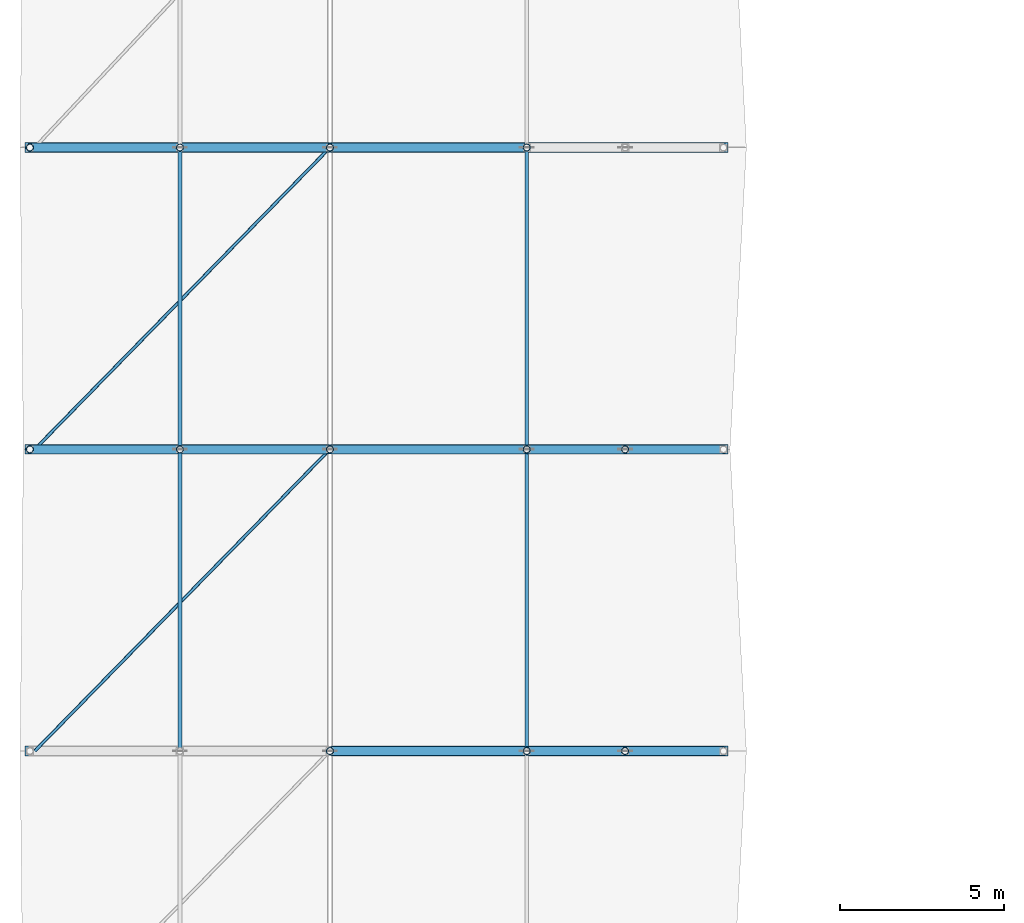
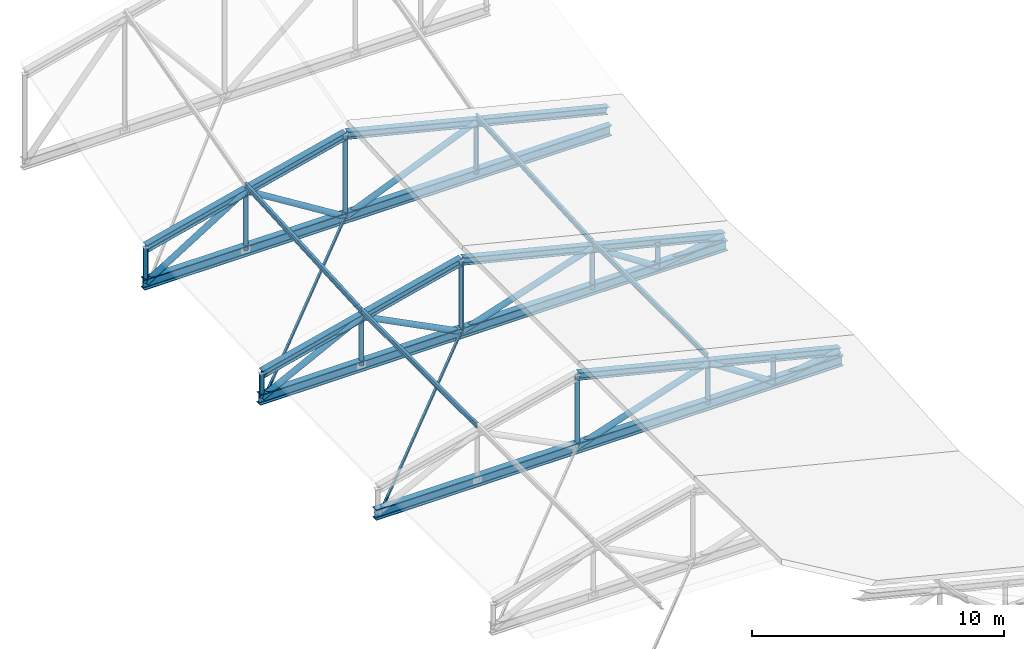
# One storey, part 21 of 61: 34 members, 3 beams.
"""IFC4 building model written with IfcOpenShell, lengths in metres."""

from ifc_helpers import new_model, si_unit, direction, frame, origin, origin_2d, place, context, subcontext, project, spatial, hollow_rectangle, hollow_circle, i_section, extrude, material, material_profile, profile_set, type_object, element, save


model = new_model("IFC4")

# Units and contexts
model_context = context("Model", 3, precision=1e-05, world=origin(), true_north=direction((0.0, 1.0)))
body_context = subcontext(model_context, "Body", "Model", "MODEL_VIEW")
ifc_project = project(units=[si_unit("LENGTHUNIT", "METRE"), si_unit("AREAUNIT", "SQUARE_METRE"), si_unit("VOLUMEUNIT", "CUBIC_METRE"), si_unit("PLANEANGLEUNIT", "RADIAN"), si_unit("MASSUNIT", "GRAM", prefix="KILO")], contexts=[model_context])

# Site, building, storey
site_placement = place(None, origin())
site = spatial("IfcSite", under=ifc_project, at=site_placement, CompositionType="ELEMENT")
building_placement = place(site_placement, origin())
building = spatial("IfcBuilding", under=site, at=building_placement, Name="Bozkorgan Art Gallery", CompositionType="ELEMENT")
storey_placement = place(building_placement, frame((0.0, 0.0, 10.199951171875)))
storey = spatial("IfcBuildingStorey", under=building, at=storey_placement, Name="L02", CompositionType="ELEMENT", Elevation=10.199951171875)

# Beams
ifc_material = material(Name="Steel S355J2", Category="steel")
ifc_material_profile_1 = material_profile(ifc_material, i_section(OverallWidth=0.300048828125, OverallDepth=0.5, WebThickness=0.014404296875, FlangeThickness=0.028076171875, FilletRadius=0.027099609375, at=origin_2d()), Name="HEB 500")
ifc_profile_set_1 = profile_set([ifc_material_profile_1], Name="Steel S355J2")
beam_type = type_object("IfcBeamType", Name="BEAM-TO-52", PredefinedType="BEAM", material=ifc_profile_set_1)
for number, where, z_axis, x_axis, name in (
    (1, (1.7099609375, 84.39990234375, 0.25), (1.0, 0.0, 0.0), (0.0, 1.0, 0.0), "ROOF-V2-MAIN roof truss 5 bottom chord"),
    (2, (1.7099609375, 93.60009765625, 0.25), (1.0, 0.0, 0.0), (0.0, 1.0, 0.0), "ROOF-V2-MAIN roof truss 6 bottom chord"),
    (3, (1.7099609375, 102.800048828125, 0.25), (1.0, 0.0, 0.0), (0.0, 1.0, 0.0), "ROOF-V2-MAIN roof truss 7 bottom chord"),
):
    element("IfcBeam", number, at=place(storey_placement, frame(where, z_axis=z_axis, x_axis=x_axis)), inside=storey, type_object=beam_type, Name=name, PredefinedType="BEAM", context=body_context, shape_type="SweptSolid", body=[
        extrude(i_section(OverallWidth=0.300048828125, OverallDepth=0.5, WebThickness=0.014404296875, FlangeThickness=0.028076171875, FilletRadius=0.027099609375, at=origin_2d()), origin(), (0.0, 0.0, 1.0), 21.429931640625),
    ])

# Members
ifc_material_profile_2 = material_profile(ifc_material, i_section(OverallWidth=0.1201171875, OverallDepth=0.239990234375, WebThickness=0.006103515625, FlangeThickness=0.009765625, FilletRadius=0.014892578125, at=origin_2d()), Name="IPE 240")
ifc_profile_set_2 = profile_set([ifc_material_profile_2], Name="Steel S355J2")
member_type_1 = type_object("IfcMemberType", Name="MEMBER-PR-34", PredefinedType="PURLIN", material=ifc_profile_set_2)
for number, where, z_axis, x_axis, name in (
    (4, (6.425048828125, 84.39990234375, 2.87255859375), (0.0, 1.0, 0.0), (-1.0, 0.0, 0.0), "ROOF-V2-MAIN roof purlin 5W"),
    (5, (17.0, 84.39990234375, 2.51708984375), (0.0, 1.0, 0.0), (-1.0, 0.0, 0.0), "ROOF-V2-MAIN roof purlin 5E"),
):
    element("IfcMember", number, at=place(storey_placement, frame(where, z_axis=z_axis, x_axis=x_axis)), inside=storey, type_object=member_type_1, Name=name, PredefinedType="PURLIN", context=body_context, shape_type="SweptSolid", body=[
        extrude(i_section(OverallWidth=0.1201171875, OverallDepth=0.239990234375, WebThickness=0.006103515625, FlangeThickness=0.009765625, FilletRadius=0.014892578125, at=origin_2d()), origin(), (0.0, 0.0, 1.0), 9.2001953125),
    ])
for number, where, z_axis, x_axis, name in (
    (6, (6.425048828125, 93.60009765625, 2.87255859375), (0.0, 0.9984033403, 0.056486901826), (-1.0, 0.0, 0.0), "ROOF-V2-MAIN roof purlin 6W"),
    (7, (17.0, 93.60009765625, 2.51708984375), (0.0, 0.9984033403, 0.056486901826), (-1.0, 0.0, 0.0), "ROOF-V2-MAIN roof purlin 6E"),
):
    element("IfcMember", number, at=place(storey_placement, frame(where, z_axis=z_axis, x_axis=x_axis)), inside=storey, type_object=member_type_1, Name=name, PredefinedType="PURLIN", context=body_context, shape_type="SweptSolid", body=[
        extrude(i_section(OverallWidth=0.1201171875, OverallDepth=0.239990234375, WebThickness=0.006103515625, FlangeThickness=0.009765625, FilletRadius=0.014892578125, at=origin_2d()), origin(), (0.0, 0.0, 1.0), 9.214599609375),
    ])
ifc_material_profile_3 = material_profile(ifc_material, i_section(OverallWidth=0.300048828125, OverallDepth=0.35009765625, WebThickness=0.010009765625, FlangeThickness=0.017578125, FilletRadius=0.027099609375, at=origin_2d()), Name="HEA 360")
ifc_profile_set_3 = profile_set([ifc_material_profile_3], Name="Steel S355J2")
member_type_2 = type_object("IfcMemberType", Name="MEMBER-TC-31", PredefinedType="CHORD", material=ifc_profile_set_3)
member_1_placement = place(storey_placement, frame((11.0, 84.39990234375, 3.71826171875), z_axis=(0.970295587241, 0.0, -0.24192245324), x_axis=(0.0, 1.0, 0.0)))
element("IfcMember", 8, at=member_1_placement, inside=storey, type_object=member_type_2, Name="ROOF-V2-MAIN roof truss 5 east top chord", PredefinedType="CHORD", context=body_context, shape_type="SweptSolid", body=[
    extrude(i_section(OverallWidth=0.300048828125, OverallDepth=0.35009765625, WebThickness=0.010009765625, FlangeThickness=0.017578125, FilletRadius=0.027099609375, at=origin_2d()), origin(), (0.0, 0.0, 1.0), 12.367431640625),
])
member_2_placement = place(storey_placement, frame((1.85009765625, 93.60009765625, 1.436767578125), z_axis=(0.97029156257, 0.0, 0.241938594701), x_axis=(0.0, 1.0, 0.0)))
element("IfcMember", 9, at=member_2_placement, inside=storey, type_object=member_type_2, Name="ROOF-V2-MAIN roof truss 6 west top chord", PredefinedType="CHORD", context=body_context, shape_type="SweptSolid", body=[
    extrude(i_section(OverallWidth=0.300048828125, OverallDepth=0.35009765625, WebThickness=0.010009765625, FlangeThickness=0.017578125, FilletRadius=0.027099609375, at=origin_2d()), origin(), (0.0, 0.0, 1.0), 9.43017578125),
])
member_3_placement = place(storey_placement, frame((11.0, 93.60009765625, 3.71826171875), z_axis=(0.970295587241, 0.0, -0.24192245324), x_axis=(0.0, 1.0, 0.0)))
element("IfcMember", 10, at=member_3_placement, inside=storey, type_object=member_type_2, Name="ROOF-V2-MAIN roof truss 6 east top chord", PredefinedType="CHORD", context=body_context, shape_type="SweptSolid", body=[
    extrude(i_section(OverallWidth=0.300048828125, OverallDepth=0.35009765625, WebThickness=0.010009765625, FlangeThickness=0.017578125, FilletRadius=0.027099609375, at=origin_2d()), origin(), (0.0, 0.0, 1.0), 12.367431640625),
])
member_4_placement = place(storey_placement, frame((1.85009765625, 102.800048828125, 1.957275390625), z_axis=(0.97029156257, 0.0, 0.241938594701), x_axis=(0.0, 1.0, 0.0)))
element("IfcMember", 11, at=member_4_placement, inside=storey, type_object=member_type_2, Name="ROOF-V2-MAIN roof truss 7 west top chord", PredefinedType="CHORD", context=body_context, shape_type="SweptSolid", body=[
    extrude(i_section(OverallWidth=0.300048828125, OverallDepth=0.35009765625, WebThickness=0.010009765625, FlangeThickness=0.017578125, FilletRadius=0.027099609375, at=origin_2d()), origin(), (0.0, 0.0, 1.0), 9.43017578125),
])
member_5_placement = place(storey_placement, frame((11.0, 102.800048828125, 4.23876953125), z_axis=(0.970295587241, 0.0, -0.24192245324), x_axis=(0.0, 1.0, 0.0)))
element("IfcMember", 12, at=member_5_placement, inside=storey, type_object=member_type_2, Name="ROOF-V2-MAIN roof truss 7 east top chord", PredefinedType="CHORD", context=body_context, shape_type="SweptSolid", body=[
    extrude(i_section(OverallWidth=0.300048828125, OverallDepth=0.35009765625, WebThickness=0.010009765625, FlangeThickness=0.017578125, FilletRadius=0.027099609375, at=origin_2d()), origin(), (0.0, 0.0, 1.0), 12.367431640625),
])
ifc_material_profile_4 = material_profile(ifc_material, hollow_circle(Radius=0.109619140625, WallThickness=0.010009765625, at=origin_2d()), Name="CHS 219.1x10")
ifc_profile_set_4 = profile_set([ifc_material_profile_4], Name="Steel S355J2")
member_type_3 = type_object("IfcMemberType", Name="MEMBER-TP-78", PredefinedType="POST", material=ifc_profile_set_4)
member_6_placement = place(storey_placement, frame((11.0, 84.39990234375, 0.25), z_axis=(0.0, 0.0, 1.0), x_axis=(1.0, 0.0, 0.0)))
element("IfcMember", 13, at=member_6_placement, inside=storey, type_object=member_type_3, Name="ROOF-V2-MAIN roof truss 5 post 2", PredefinedType="POST", context=body_context, shape_type="SweptSolid", body=[
    extrude(hollow_circle(Radius=0.109619140625, WallThickness=0.010009765625, at=origin_2d()), origin(), (0.0, 0.0, 1.0), 3.46826171875),
])
member_7_placement = place(storey_placement, frame((17.0, 84.39990234375, 0.25), z_axis=(0.0, 0.0, 1.0), x_axis=(1.0, 0.0, 0.0)))
element("IfcMember", 14, at=member_7_placement, inside=storey, type_object=member_type_3, Name="ROOF-V2-MAIN roof truss 5 post 3", PredefinedType="POST", context=body_context, shape_type="SweptSolid", body=[
    extrude(hollow_circle(Radius=0.109619140625, WallThickness=0.010009765625, at=origin_2d()), origin(), (0.0, 0.0, 1.0), 1.97216796875),
])
member_8_placement = place(storey_placement, frame((20.0, 84.39990234375, 0.25), z_axis=(0.0, 0.0, 1.0), x_axis=(1.0, 0.0, 0.0)))
element("IfcMember", 15, at=member_8_placement, inside=storey, type_object=member_type_3, Name="ROOF-V2-MAIN roof truss 5 post 4", PredefinedType="POST", context=body_context, shape_type="SweptSolid", body=[
    extrude(hollow_circle(Radius=0.109619140625, WallThickness=0.010009765625, at=origin_2d()), origin(), (0.0, 0.0, 1.0), 1.22412109375),
])
member_9_placement = place(storey_placement, frame((1.85009765625, 93.60009765625, 0.25), z_axis=(0.0, 0.0, 1.0), x_axis=(1.0, 0.0, 0.0)))
element("IfcMember", 16, at=member_9_placement, inside=storey, type_object=member_type_3, Name="ROOF-V2-MAIN roof truss 6 post 0", PredefinedType="POST", context=body_context, shape_type="SweptSolid", body=[
    extrude(hollow_circle(Radius=0.109619140625, WallThickness=0.010009765625, at=origin_2d()), origin(), (0.0, 0.0, 1.0), 1.186767578125),
])
member_10_placement = place(storey_placement, frame((6.425048828125, 93.60009765625, 0.25), z_axis=(0.0, 0.0, 1.0), x_axis=(1.0, 0.0, 0.0)))
element("IfcMember", 17, at=member_10_placement, inside=storey, type_object=member_type_3, Name="ROOF-V2-MAIN roof truss 6 post 1", PredefinedType="POST", context=body_context, shape_type="SweptSolid", body=[
    extrude(hollow_circle(Radius=0.109619140625, WallThickness=0.010009765625, at=origin_2d()), origin(), (0.0, 0.0, 1.0), 2.327392578125),
])
member_11_placement = place(storey_placement, frame((11.0, 93.60009765625, 0.25), z_axis=(0.0, 0.0, 1.0), x_axis=(1.0, 0.0, 0.0)))
element("IfcMember", 18, at=member_11_placement, inside=storey, type_object=member_type_3, Name="ROOF-V2-MAIN roof truss 6 post 2", PredefinedType="POST", context=body_context, shape_type="SweptSolid", body=[
    extrude(hollow_circle(Radius=0.109619140625, WallThickness=0.010009765625, at=origin_2d()), origin(), (0.0, 0.0, 1.0), 3.46826171875),
])
member_12_placement = place(storey_placement, frame((17.0, 93.60009765625, 0.25), z_axis=(0.0, 0.0, 1.0), x_axis=(1.0, 0.0, 0.0)))
element("IfcMember", 19, at=member_12_placement, inside=storey, type_object=member_type_3, Name="ROOF-V2-MAIN roof truss 6 post 3", PredefinedType="POST", context=body_context, shape_type="SweptSolid", body=[
    extrude(hollow_circle(Radius=0.109619140625, WallThickness=0.010009765625, at=origin_2d()), origin(), (0.0, 0.0, 1.0), 1.97216796875),
])
member_13_placement = place(storey_placement, frame((20.0, 93.60009765625, 0.25), z_axis=(0.0, 0.0, 1.0), x_axis=(1.0, 0.0, 0.0)))
element("IfcMember", 20, at=member_13_placement, inside=storey, type_object=member_type_3, Name="ROOF-V2-MAIN roof truss 6 post 4", PredefinedType="POST", context=body_context, shape_type="SweptSolid", body=[
    extrude(hollow_circle(Radius=0.109619140625, WallThickness=0.010009765625, at=origin_2d()), origin(), (0.0, 0.0, 1.0), 1.22412109375),
])
member_14_placement = place(storey_placement, frame((1.85009765625, 102.800048828125, 0.25), z_axis=(0.0, 0.0, 1.0), x_axis=(1.0, 0.0, 0.0)))
element("IfcMember", 21, at=member_14_placement, inside=storey, type_object=member_type_3, Name="ROOF-V2-MAIN roof truss 7 post 0", PredefinedType="POST", context=body_context, shape_type="SweptSolid", body=[
    extrude(hollow_circle(Radius=0.109619140625, WallThickness=0.010009765625, at=origin_2d()), origin(), (0.0, 0.0, 1.0), 1.707275390625),
])
member_15_placement = place(storey_placement, frame((6.425048828125, 102.800048828125, 0.25), z_axis=(0.0, 0.0, 1.0), x_axis=(1.0, 0.0, 0.0)))
element("IfcMember", 22, at=member_15_placement, inside=storey, type_object=member_type_3, Name="ROOF-V2-MAIN roof truss 7 post 1", PredefinedType="POST", context=body_context, shape_type="SweptSolid", body=[
    extrude(hollow_circle(Radius=0.109619140625, WallThickness=0.010009765625, at=origin_2d()), origin(), (0.0, 0.0, 1.0), 2.847900390625),
])
member_16_placement = place(storey_placement, frame((11.0, 102.800048828125, 0.25), z_axis=(0.0, 0.0, 1.0), x_axis=(1.0, 0.0, 0.0)))
element("IfcMember", 23, at=member_16_placement, inside=storey, type_object=member_type_3, Name="ROOF-V2-MAIN roof truss 7 post 2", PredefinedType="POST", context=body_context, shape_type="SweptSolid", body=[
    extrude(hollow_circle(Radius=0.109619140625, WallThickness=0.010009765625, at=origin_2d()), origin(), (0.0, 0.0, 1.0), 3.98876953125),
])
member_17_placement = place(storey_placement, frame((17.0, 102.800048828125, 0.25), z_axis=(0.0, 0.0, 1.0), x_axis=(1.0, 0.0, 0.0)))
element("IfcMember", 24, at=member_17_placement, inside=storey, type_object=member_type_3, Name="ROOF-V2-MAIN roof truss 7 post 3", PredefinedType="POST", context=body_context, shape_type="SweptSolid", body=[
    extrude(hollow_circle(Radius=0.109619140625, WallThickness=0.010009765625, at=origin_2d()), origin(), (0.0, 0.0, 1.0), 2.49267578125),
])
ifc_material_profile_5 = material_profile(ifc_material, hollow_circle(Radius=0.136474609375, WallThickness=0.012451171875, at=origin_2d()), Name="CHS 273x12.5")
ifc_profile_set_5 = profile_set([ifc_material_profile_5], Name="Steel S355J2")
member_type_4 = type_object("IfcMemberType", Name="MEMBER-TW-28", PredefinedType="BRACE", material=ifc_profile_set_5)
member_18_placement = place(storey_placement, frame((11.0, 84.39990234375, 0.25), z_axis=(0.949997025148, 0.0, 0.312258950568), x_axis=(0.0, 1.0, 0.0)))
element("IfcMember", 25, at=member_18_placement, inside=storey, type_object=member_type_4, Name="ROOF-V2-MAIN roof truss 5 diagonal 3", PredefinedType="BRACE", context=body_context, shape_type="SweptSolid", body=[
    extrude(hollow_circle(Radius=0.136474609375, WallThickness=0.012451171875, at=origin_2d()), origin(), (0.0, 0.0, 1.0), 6.31591796875),
])
member_19_placement = place(storey_placement, frame((17.0, 84.39990234375, 2.22216796875), z_axis=(0.835610946601, 0.0, -0.549321714408), x_axis=(0.0, 1.0, 0.0)))
element("IfcMember", 26, at=member_19_placement, inside=storey, type_object=member_type_4, Name="ROOF-V2-MAIN roof truss 5 diagonal 4", PredefinedType="BRACE", context=body_context, shape_type="SweptSolid", body=[
    extrude(hollow_circle(Radius=0.136474609375, WallThickness=0.012451171875, at=origin_2d()), origin(), (0.0, 0.0, 1.0), 3.590087890625),
])
member_20_placement = place(storey_placement, frame((20.0, 84.39990234375, 0.25), z_axis=(0.987629009243, 0.0, 0.156808609785), x_axis=(0.0, 1.0, 0.0)))
element("IfcMember", 27, at=member_20_placement, inside=storey, type_object=member_type_4, Name="ROOF-V2-MAIN roof truss 5 diagonal 5", PredefinedType="BRACE", context=body_context, shape_type="SweptSolid", body=[
    extrude(hollow_circle(Radius=0.136474609375, WallThickness=0.012451171875, at=origin_2d()), origin(), (0.0, 0.0, 1.0), 3.03759765625),
])
for number, where, z_axis, x_axis, name in (
    (28, (1.85009765625, 93.60009765625, 0.25), (0.891294892557, 0.0, 0.453424100045), (0.0, 1.0, 0.0), "ROOF-V2-MAIN roof truss 6 diagonal 1"),
    (29, (6.425048828125, 93.60009765625, 2.577392578125), (0.891294892557, 0.0, -0.453424100045), (0.0, 1.0, 0.0), "ROOF-V2-MAIN roof truss 6 diagonal 2"),
):
    element("IfcMember", number, at=place(storey_placement, frame(where, z_axis=z_axis, x_axis=x_axis)), inside=storey, type_object=member_type_4, Name=name, PredefinedType="BRACE", context=body_context, shape_type="SweptSolid", body=[
        extrude(hollow_circle(Radius=0.136474609375, WallThickness=0.012451171875, at=origin_2d()), origin(), (0.0, 0.0, 1.0), 5.1328125),
    ])
member_21_placement = place(storey_placement, frame((11.0, 93.60009765625, 0.25), z_axis=(0.949997025148, 0.0, 0.312258950568), x_axis=(0.0, 1.0, 0.0)))
element("IfcMember", 30, at=member_21_placement, inside=storey, type_object=member_type_4, Name="ROOF-V2-MAIN roof truss 6 diagonal 3", PredefinedType="BRACE", context=body_context, shape_type="SweptSolid", body=[
    extrude(hollow_circle(Radius=0.136474609375, WallThickness=0.012451171875, at=origin_2d()), origin(), (0.0, 0.0, 1.0), 6.31591796875),
])
member_22_placement = place(storey_placement, frame((17.0, 93.60009765625, 2.22216796875), z_axis=(0.835610946601, 0.0, -0.549321714408), x_axis=(0.0, 1.0, 0.0)))
element("IfcMember", 31, at=member_22_placement, inside=storey, type_object=member_type_4, Name="ROOF-V2-MAIN roof truss 6 diagonal 4", PredefinedType="BRACE", context=body_context, shape_type="SweptSolid", body=[
    extrude(hollow_circle(Radius=0.136474609375, WallThickness=0.012451171875, at=origin_2d()), origin(), (0.0, 0.0, 1.0), 3.590087890625),
])
member_23_placement = place(storey_placement, frame((20.0, 93.60009765625, 0.25), z_axis=(0.987629009243, 0.0, 0.156808609785), x_axis=(0.0, 1.0, 0.0)))
element("IfcMember", 32, at=member_23_placement, inside=storey, type_object=member_type_4, Name="ROOF-V2-MAIN roof truss 6 diagonal 5", PredefinedType="BRACE", context=body_context, shape_type="SweptSolid", body=[
    extrude(hollow_circle(Radius=0.136474609375, WallThickness=0.012451171875, at=origin_2d()), origin(), (0.0, 0.0, 1.0), 3.03759765625),
])
for number, where, z_axis, x_axis, name in (
    (33, (1.85009765625, 102.800048828125, 0.25), (0.848951366857, 0.0, 0.528470980009), (0.0, 1.0, 0.0), "ROOF-V2-MAIN roof truss 7 diagonal 1"),
    (34, (6.425048828125, 102.800048828125, 3.097900390625), (0.848951366857, 0.0, -0.528470980009), (0.0, 1.0, 0.0), "ROOF-V2-MAIN roof truss 7 diagonal 2"),
):
    element("IfcMember", number, at=place(storey_placement, frame(where, z_axis=z_axis, x_axis=x_axis)), inside=storey, type_object=member_type_4, Name=name, PredefinedType="BRACE", context=body_context, shape_type="SweptSolid", body=[
        extrude(hollow_circle(Radius=0.136474609375, WallThickness=0.012451171875, at=origin_2d()), origin(), (0.0, 0.0, 1.0), 5.388916015625),
    ])
member_24_placement = place(storey_placement, frame((11.0, 102.800048828125, 0.25), z_axis=(0.923476644919, 0.0, 0.383654644556), x_axis=(0.0, 1.0, 0.0)))
element("IfcMember", 35, at=member_24_placement, inside=storey, type_object=member_type_4, Name="ROOF-V2-MAIN roof truss 7 diagonal 3", PredefinedType="BRACE", context=body_context, shape_type="SweptSolid", body=[
    extrude(hollow_circle(Radius=0.136474609375, WallThickness=0.012451171875, at=origin_2d()), origin(), (0.0, 0.0, 1.0), 6.4970703125),
])
ifc_material_profile_6 = material_profile(ifc_material, hollow_rectangle(XDim=0.10009765625, YDim=0.14990234375, WallThickness=0.008056640625, InnerFilletRadius=0.011962890625, OuterFilletRadius=0.02001953125, at=origin_2d()), Name="RHS 150x100x8")
ifc_profile_set_6 = profile_set([ifc_material_profile_6], Name="Steel S355J2")
member_type_5 = type_object("IfcMemberType", Name="MEMBER-WB-10", PredefinedType="BRACE", material=ifc_profile_set_6)
member_25_placement = place(storey_placement, frame((2.0, 84.39990234375, 0.25), z_axis=(0.699286569512, 0.714841446546, 0.0), x_axis=(-0.714841446546, 0.699286569512, 0.0)))
element("IfcMember", 36, at=member_25_placement, inside=storey, type_object=member_type_5, Name="ROOF-V2-MAIN roof diaphragm wind brace 4", PredefinedType="BRACE", context=body_context, shape_type="SweptSolid", body=[
    extrude(hollow_rectangle(XDim=0.10009765625, YDim=0.14990234375, WallThickness=0.008056640625, InnerFilletRadius=0.011962890625, OuterFilletRadius=0.02001953125, at=origin_2d()), origin(), (0.0, 0.0, 1.0), 12.870361328125),
])
member_26_placement = place(storey_placement, frame((2.0, 93.60009765625, 0.25), z_axis=(0.699296051965, 0.714832170307, 0.0), x_axis=(-0.714832170307, 0.699296051965, 0.0)))
element("IfcMember", 37, at=member_26_placement, inside=storey, type_object=member_type_5, Name="ROOF-V2-MAIN roof diaphragm wind brace 5", PredefinedType="BRACE", context=body_context, shape_type="SweptSolid", body=[
    extrude(hollow_rectangle(XDim=0.10009765625, YDim=0.14990234375, WallThickness=0.008056640625, InnerFilletRadius=0.011962890625, OuterFilletRadius=0.02001953125, at=origin_2d()), origin(), (0.0, 0.0, 1.0), 12.8701171875),
])

save(model, "model.ifc")
